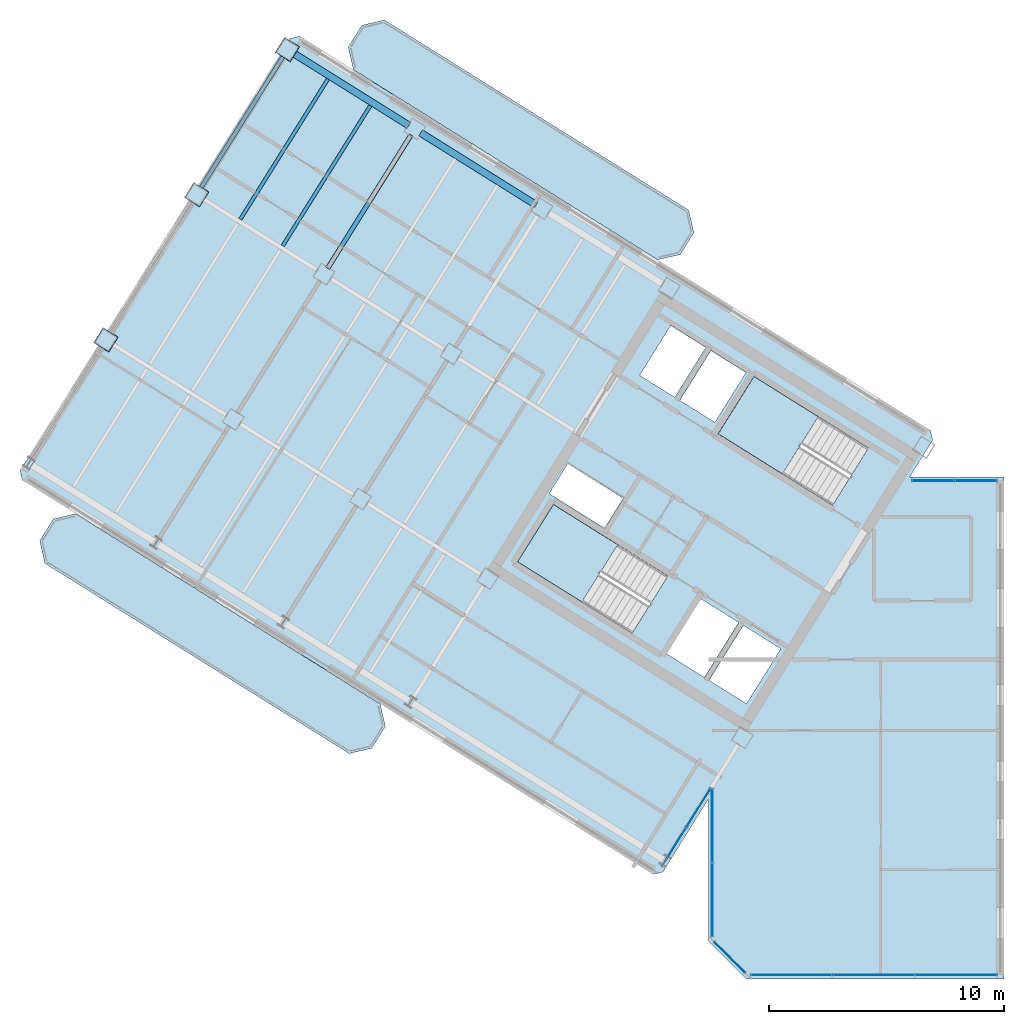
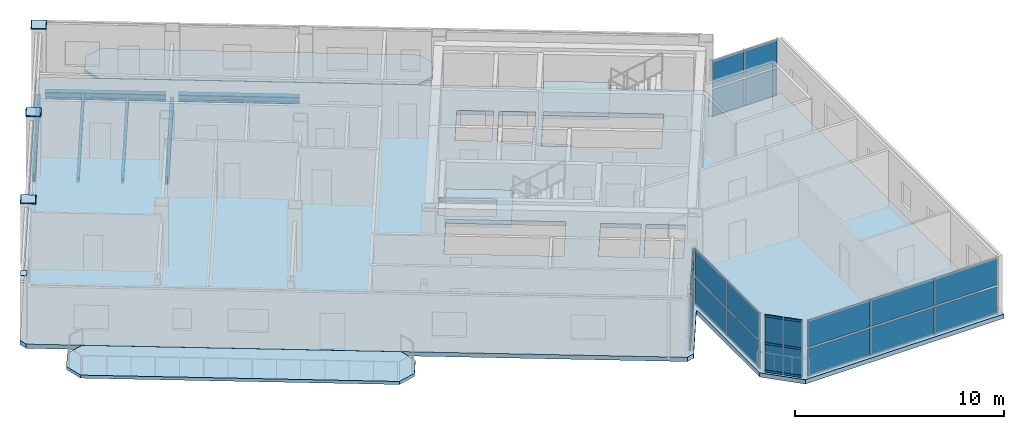
# One storey, part 7 of 17: 29 plates, 6 beams, 6 members, 5 slabs, 7 elements without a shape of their own.
"""IFC4 building model written with IfcOpenShell, lengths in metres."""

from ifc_helpers import new_model, si_unit, direction, frame, origin, origin_2d, place, context, subcontext, project, spatial, polyline, rectangle, hollow_rectangle, i_section, outline, extrude, source, transform, mapped, material, layer, layer_set, material_profile, profile_set, type_object, element, aggregate, save


model = new_model("IFC4")

# Units and contexts
model_context = context("Model", 3, precision=1e-05, world=origin(), true_north=direction((0.0, 1.0)))
body_context = subcontext(model_context, "Body", "Model", "MODEL_VIEW")
ifc_project = project(units=[si_unit("LENGTHUNIT", "METRE"), si_unit("AREAUNIT", "SQUARE_METRE"), si_unit("VOLUMEUNIT", "CUBIC_METRE"), si_unit("PLANEANGLEUNIT", "RADIAN"), si_unit("MASSUNIT", "GRAM", prefix="KILO")], contexts=[model_context])

# Site, building, storey
site_placement = place(None, origin())
site = spatial("IfcSite", under=ifc_project, at=site_placement, CompositionType="ELEMENT")
building_placement = place(site_placement, origin())
building = spatial("IfcBuilding", under=site, at=building_placement, Name="Tlacorven Tower", CompositionType="ELEMENT")
storey_placement = place(building_placement, frame((0.0, 0.0, 277.199951171875)))
storey = spatial("IfcBuildingStorey", under=building, at=storey_placement, Name="L70", CompositionType="ELEMENT", Elevation=277.199951171875)

# Beams
ifc_material_1 = material(Name="Steel S355J2", Category="steel")
ifc_material_profile_1 = material_profile(ifc_material_1, i_section(OverallWidth=0.300048828125, OverallDepth=0.389892578125, WebThickness=0.010986328125, FlangeThickness=0.01904296875, at=origin_2d()), Name="HEA 400")
ifc_profile_set_1 = profile_set([ifc_material_profile_1], Name="Steel S355J2")
beam_type_1 = type_object("IfcBeamType", Name="BM-SPN-400", PredefinedType="SPANDREL", material=ifc_profile_set_1)
shared_shape_1 = source(origin(), body_context, "Body", "SweptSolid", [
    extrude(i_section(OverallWidth=0.300048828125, OverallDepth=0.389892578125, WebThickness=0.010986328125, FlangeThickness=0.01904296875, at=origin_2d()), origin(), (0.0, 0.0, 1.0), 5.800048828125),
])
for number, where, z_axis, x_axis, name in (
    (1, (24.24609375, 34.8017578125, -0.445068359375), (-0.848052689693, 0.529911912967, 0.0), (-0.529911912967, -0.848052689693, 0.0), "L70 beam BM-L70-WL1-4"),
    (2, (18.818603515625, 38.193359375, -0.445068359375), (-0.848052689693, 0.529911912967, 0.0), (-0.529911912967, -0.848052689693, 0.0), "L70 beam BM-L70-WL1-5"),
):
    element("IfcBeam", number, at=place(storey_placement, frame(where, z_axis=z_axis, x_axis=x_axis)), inside=storey, type_object=beam_type_1, Name=name, PredefinedType="SPANDREL", context=body_context, shape_type="MappedRepresentation", body=[
        mapped(shared_shape_1, transform((0.0, 0.0, 0.0), scale=1.0)),
    ])
ifc_material_profile_2 = material_profile(ifc_material_1, i_section(OverallWidth=0.14990234375, OverallDepth=0.300048828125, WebThickness=0.007080078125, FlangeThickness=0.0107421875, at=origin_2d()), Name="IPE 300")
ifc_profile_set_2 = profile_set([ifc_material_profile_2], Name="Steel S355J2")
beam_type_2 = type_object("IfcBeamType", Name="BM-JST-300", PredefinedType="JOIST", material=ifc_profile_set_2)
shared_shape_2 = source(origin(), body_context, "Body", "SweptSolid", [
    extrude(i_section(OverallWidth=0.14990234375, OverallDepth=0.300048828125, WebThickness=0.007080078125, FlangeThickness=0.0107421875, at=origin_2d()), origin(), (0.0, 0.0, 1.0), 7.044921875),
])
for number, where, z_axis, x_axis, name in (
    (3, (17.181640625, 39.033447265625, -0.39990234375), (-0.529899256491, -0.848060598053, 0.0), (0.848060598053, -0.529899256491, 0.0), "L70 beam BM-L70-WJ5-1-1"),
    (4, (15.372314453125, 40.163818359375, -0.39990234375), (-0.52991483005, -0.848050866925, 0.0), (0.848050866925, -0.52991483005, 0.0), "L70 beam BM-L70-WJ5-1-2"),
):
    element("IfcBeam", number, at=place(storey_placement, frame(where, z_axis=z_axis, x_axis=x_axis)), inside=storey, type_object=beam_type_2, Name=name, PredefinedType="JOIST", context=body_context, shape_type="MappedRepresentation", body=[
        mapped(shared_shape_2, transform((0.0, 0.0, 0.0), scale=1.0)),
    ])
ifc_material_profile_3 = material_profile(ifc_material_1, i_section(OverallWidth=0.18994140625, OverallDepth=0.449951171875, WebThickness=0.009521484375, FlangeThickness=0.0146484375, at=origin_2d()), Name="IPE 450")
ifc_profile_set_3 = profile_set([ifc_material_profile_3], Name="Steel S355J2")
beam_type_3 = type_object("IfcBeamType", Name="BM-TWR-450", PredefinedType="BEAM", material=ifc_profile_set_3)
shared_shape_3 = source(origin(), body_context, "Body", "SweptSolid", [
    extrude(i_section(OverallWidth=0.18994140625, OverallDepth=0.449951171875, WebThickness=0.009521484375, FlangeThickness=0.0146484375, at=origin_2d()), origin(), (0.0, 0.0, 1.0), 6.699951171875),
])
beam_1_placement = place(storey_placement, frame((13.486328125, 41.17138671875, -0.474853515625), z_axis=(-0.529903948186, -0.848057666493, 0.0), x_axis=(0.848057666493, -0.529903948186, 0.0)))
element("IfcBeam", 5, at=beam_1_placement, inside=storey, type_object=beam_type_3, Name="L70 beam BM-L70-WT6-1", PredefinedType="BEAM", context=body_context, shape_type="MappedRepresentation", body=[
    mapped(shared_shape_3, transform((0.0, 0.0, 0.0), scale=1.0)),
])
shared_shape_4 = source(origin(), body_context, "Body", "SweptSolid", [
    extrude(i_section(OverallWidth=0.18994140625, OverallDepth=0.449951171875, WebThickness=0.009521484375, FlangeThickness=0.0146484375, at=origin_2d()), origin(), (0.0, 0.0, 1.0), 6.7001953125),
])
beam_2_placement = place(storey_placement, frame((18.9140625, 37.780029296875, -0.474853515625), z_axis=(-0.52991377951, -0.848051523367, 0.0), x_axis=(0.848051523367, -0.52991377951, 0.0)))
element("IfcBeam", 6, at=beam_2_placement, inside=storey, type_object=beam_type_3, Name="L70 beam BM-L70-WT5-1", PredefinedType="BEAM", context=body_context, shape_type="MappedRepresentation", body=[
    mapped(shared_shape_4, transform((0.0, 0.0, 0.0), scale=1.0)),
])

# Curtain wall, members
ifc_material_2 = material(Name="Dark solar low-E double glazing in aluminium frame", Category="aluminium")
curtain_wall_type = type_object("IfcCurtainWallType", Name="CW-TWR-HIGH", PredefinedType="USERDEFINED", material=ifc_material_2)
curtain_wall_1_placement = place(storey_placement, origin())
curtain_wall_1 = element("IfcCurtainWall", 7, at=curtain_wall_1_placement, inside=storey, type_object=curtain_wall_type, Name="L70 CW-TWR-HIGH Curtain Wall 325", ObjectType="UNITISED CURTAIN WALL", PredefinedType="USERDEFINED")
ifc_material_3 = material(Name="Aluminium 6063-T6 anodised", Category="aluminium")
ifc_material_profile_4 = material_profile(ifc_material_3, hollow_rectangle(XDim=0.054931640625, YDim=0.1201171875, WallThickness=0.00341796875, at=origin_2d()), Name="ALU TRANSOM 55X120")
ifc_profile_set_4 = profile_set([ifc_material_profile_4], Name="Aluminium 6063-T6 anodised")
member_type = type_object("IfcMemberType", Name="CWT-03", PredefinedType="USERDEFINED", material=ifc_profile_set_4)
shared_shape_5 = source(origin(), body_context, "Body", "SweptSolid", [
    extrude(hollow_rectangle(XDim=0.054931640625, YDim=0.1201171875, WallThickness=0.00341796875, at=origin_2d()), origin(), (0.0, 0.0, 1.0), 0.899169921875),
])
member_1_placement = place(storey_placement, frame((33.16162109375, 2.064697265625, 0.06005859375), z_axis=(-0.707106781187, 0.707106781187, 0.0), x_axis=(-0.707106781187, -0.707106781187, 0.0)))
member_1 = element("IfcMember", 8, at=member_1_placement, type_object=member_type, Name="CW-L70-325 Transom 1", ObjectType="TRANSOM", PredefinedType="USERDEFINED", context=body_context, shape_type="MappedRepresentation", body=[
    mapped(shared_shape_5, transform((0.0, 0.0, 0.0), scale=1.0)),
])
member_2_placement = place(storey_placement, frame((33.16162109375, 2.064697265625, 1.675048828125), z_axis=(-0.707106781187, 0.707106781187, 0.0), x_axis=(-0.707106781187, -0.707106781187, 0.0)))
member_2 = element("IfcMember", 9, at=member_2_placement, type_object=member_type, Name="CW-L70-325 Transom 2", ObjectType="TRANSOM", PredefinedType="USERDEFINED", context=body_context, shape_type="MappedRepresentation", body=[
    mapped(shared_shape_5, transform((0.0, 0.0, 0.0), scale=1.0)),
])
member_3_placement = place(storey_placement, frame((33.16162109375, 2.064697265625, 3.2900390625), z_axis=(-0.707106781187, 0.707106781187, 0.0), x_axis=(-0.707106781187, -0.707106781187, 0.0)))
member_3 = element("IfcMember", 10, at=member_3_placement, type_object=member_type, Name="CW-L70-325 Transom 3", ObjectType="TRANSOM", PredefinedType="USERDEFINED", context=body_context, shape_type="MappedRepresentation", body=[
    mapped(shared_shape_5, transform((0.0, 0.0, 0.0), scale=1.0)),
])
member_4_placement = place(storey_placement, frame((32.50048828125, 2.725830078125, 0.06005859375), z_axis=(-0.707106781187, 0.707106781187, 0.0), x_axis=(-0.707106781187, -0.707106781187, 0.0)))
member_4 = element("IfcMember", 11, at=member_4_placement, type_object=member_type, Name="CW-L70-325 Transom 4", ObjectType="TRANSOM", PredefinedType="USERDEFINED", context=body_context, shape_type="MappedRepresentation", body=[
    mapped(shared_shape_5, transform((0.0, 0.0, 0.0), scale=1.0)),
])
member_5_placement = place(storey_placement, frame((32.50048828125, 2.725830078125, 1.675048828125), z_axis=(-0.707106781187, 0.707106781187, 0.0), x_axis=(-0.707106781187, -0.707106781187, 0.0)))
member_5 = element("IfcMember", 12, at=member_5_placement, type_object=member_type, Name="CW-L70-325 Transom 5", ObjectType="TRANSOM", PredefinedType="USERDEFINED", context=body_context, shape_type="MappedRepresentation", body=[
    mapped(shared_shape_5, transform((0.0, 0.0, 0.0), scale=1.0)),
])
member_6_placement = place(storey_placement, frame((32.50048828125, 2.725830078125, 3.2900390625), z_axis=(-0.707106781187, 0.707106781187, 0.0), x_axis=(-0.707106781187, -0.707106781187, 0.0)))
member_6 = element("IfcMember", 13, at=member_6_placement, type_object=member_type, Name="CW-L70-325 Transom 6", ObjectType="TRANSOM", PredefinedType="USERDEFINED", context=body_context, shape_type="MappedRepresentation", body=[
    mapped(shared_shape_5, transform((0.0, 0.0, 0.0), scale=1.0)),
])

# Slabs
ifc_material_4 = material(Name="Precast concrete C45/55", Category="concrete")
ifc_layer_1 = layer(ifc_material_4, 0.179931640625)
ifc_layer_set_1 = layer_set([ifc_layer_1], Name="Precast concrete C45/55")
slab_type_1 = type_object("IfcSlabType", Name="SL-BAL-180", PredefinedType="USERDEFINED", material=ifc_layer_set_1)
slab_1_placement = place(storey_placement, frame((0.0, 0.0, -0.179931640625)))
element("IfcSlab", 14, at=slab_1_placement, inside=storey, type_object=slab_type_1, Name="L70 West Wing Balcony Ribbon OUT", ObjectType="BALCONY SLAB", PredefinedType="USERDEFINED", context=body_context, shape_type="SweptSolid", body=[
    extrude(outline(polyline([(17.601318359375, 13.52490234375), (4.626220703125, 21.632568359375), (3.66162109375, 21.409912109375), (3.081298828125, 20.4814453125), (3.303955078125, 19.516845703125), (16.279052734375, 11.408935546875), (17.24365234375, 11.6318359375), (17.823974609375, 12.560302734375), (17.601318359375, 13.52490234375)])), origin(), (0.0, 0.0, 1.0), 0.179931640625),
])
slab_2_placement = place(storey_placement, frame((0.0, 0.0, -0.179931640625)))
element("IfcSlab", 15, at=slab_2_placement, inside=storey, type_object=slab_type_1, Name="L70 West Wing Balcony Ribbon IN", ObjectType="BALCONY SLAB", PredefinedType="USERDEFINED", context=body_context, shape_type="SweptSolid", body=[
    extrude(outline(polyline([(30.756591796875, 34.57763671875), (17.781494140625, 42.685546875), (16.81689453125, 42.462890625), (16.236572265625, 41.5341796875), (16.459228515625, 40.569580078125), (29.434326171875, 32.4619140625), (30.39892578125, 32.6845703125), (30.979248046875, 33.613037109375), (30.756591796875, 34.57763671875)])), origin(), (0.0, 0.0, 1.0), 0.179931640625),
])

# Stair, slab
ifc_material_5 = material(Name="Concrete C40/50", Category="concrete")
stair_type = type_object("IfcStairType", Name="ST-CORE-DLG", PredefinedType="HALF_TURN_STAIR", material=ifc_material_5)
stair_1_placement = place(storey_placement, origin())
stair_1 = element("IfcStair", 16, at=stair_1_placement, inside=storey, type_object=stair_type, Name="L70 Protected Exit Stair West 1", PredefinedType="HALF_TURN_STAIR")
ifc_layer_2 = layer(ifc_material_5, 0.199951171875)
ifc_layer_set_2 = layer_set([ifc_layer_2], Name="Concrete C40/50")
slab_type_2 = type_object("IfcSlabType", Name="SL-LND-200", PredefinedType="LANDING", material=ifc_layer_set_2)
slab_3_placement = place(storey_placement, frame((0.0, 0.0, 1.60009765625)))
slab_3 = element("IfcSlab", 17, at=slab_3_placement, type_object=slab_type_2, Name="ST-W1 landing 1", PredefinedType="LANDING", context=body_context, shape_type="SweptSolid", body=[
    extrude(outline(polyline([(27.728515625, 20.315185546875), (24.9892578125, 22.02685546875), (23.463134765625, 19.58447265625), (26.2021484375, 17.872802734375), (27.728515625, 20.315185546875)])), origin(), (0.0, 0.0, 1.0), 0.199951171875),
])
aggregate(stair_1, [slab_3])

stair_2_placement = place(storey_placement, origin())
stair_2 = element("IfcStair", 18, at=stair_2_placement, inside=storey, type_object=stair_type, Name="L70 Protected Exit Stair West 2", PredefinedType="HALF_TURN_STAIR")
slab_4_placement = place(storey_placement, frame((0.0, 0.0, 1.60009765625)))
slab_4 = element("IfcSlab", 19, at=slab_4_placement, type_object=slab_type_2, Name="ST-W2 landing 1", PredefinedType="LANDING", context=body_context, shape_type="SweptSolid", body=[
    extrude(outline(polyline([(36.280029296875, 25.772705078125), (33.540771484375, 27.484375), (32.0146484375, 25.0419921875), (34.75390625, 23.33056640625), (36.280029296875, 25.772705078125)])), origin(), (0.0, 0.0, 1.0), 0.199951171875),
])
aggregate(stair_2, [slab_4])

# Slab
ifc_layer_3 = layer(ifc_material_5, 0.25)
ifc_layer_set_3 = layer_set([ifc_layer_3], Name="Concrete C40/50")
slab_type_3 = type_object("IfcSlabType", Name="SL-TWR-250", PredefinedType="FLOOR", material=ifc_layer_set_3)
slab_5_placement = place(storey_placement, frame((0.0, 0.0, -0.25)))
element("IfcSlab", 20, at=slab_5_placement, inside=storey, type_object=slab_type_3, Name="L70 Boomerang Tower Floor Slab", PredefinedType="FLOOR", context=body_context, shape_type="SweptSolid", body=[
    extrude(outline(polyline([(44.199951171875, 23.199951171875), (44.199951171875, 1.800048828125), (33.199951171875, 1.800048828125), (31.60009765625, 3.39990234375), (31.60009765625, 9.470703125), (29.652587890625, 6.35400390625), (29.2392578125, 6.258544921875), (2.339111328125, 23.067626953125), (2.24365234375, 23.481201171875), (13.75341796875, 41.900634765625), (14.1669921875, 41.99609375), (41.06689453125, 25.18701171875), (41.162353515625, 24.773681640625), (40.178955078125, 23.199951171875), (44.199951171875, 23.199951171875)]), holes=[polyline([(29.865478515625, 18.979736328125), (24.9892578125, 22.02685546875), (23.463134765625, 19.58447265625), (28.33935546875, 16.537353515625), (29.865478515625, 18.979736328125)]), polyline([(38.4169921875, 24.4375), (33.540771484375, 27.484375), (32.0146484375, 25.0419921875), (36.890869140625, 21.9951171875), (38.4169921875, 24.4375)]), polyline([(34.682373046875, 15.87548828125), (33.088134765625, 16.871826171875), (31.62548828125, 14.531005859375), (33.2197265625, 13.534912109375), (34.682373046875, 15.87548828125)]), polyline([(32.884521484375, 16.9990234375), (31.2392578125, 18.02685546875), (29.77685546875, 15.686279296875), (31.421875, 14.658203125), (32.884521484375, 16.9990234375)]), polyline([(33.197265625, 27.65185546875), (31.704833984375, 28.58447265625), (30.3798828125, 26.46435546875), (31.87255859375, 25.53173828125), (33.197265625, 27.65185546875)]), polyline([(31.484375, 28.722412109375), (29.99169921875, 29.655029296875), (28.6669921875, 27.534912109375), (30.159423828125, 26.602294921875), (31.484375, 28.722412109375)]), polyline([(27.96142578125, 22.2919921875), (25.603759765625, 23.76513671875), (24.80908203125, 22.4931640625), (27.16650390625, 21.02001953125), (27.96142578125, 22.2919921875)])]), origin(), (0.0, 0.0, 1.0), 0.25),
])

# Plates
ifc_material_6 = material(Name="Steel S460M", Category="steel")
ifc_layer_4 = layer(ifc_material_6, 0.02001953125)
ifc_layer_set_4 = layer_set([ifc_layer_4], Name="Steel S460M")
plate_type_1 = type_object("IfcPlateType", Name="PL-CAP-END2", PredefinedType="USERDEFINED", material=ifc_layer_set_4)
shared_shape_6 = source(origin(), body_context, "Body", "SweptSolid", [
    extrude(rectangle(XDim=0.760009765625, YDim=0.760009765625, at=origin_2d()), origin(), (0.0, 0.0, 1.0), 0.02001953125),
])
for number, where, z_axis, x_axis, name in (
    (21, (13.6455078125, 41.42578125, 3.580078125), (0.0, 0.0, 1.0), (-0.848048096156, 0.529919264233, 0.0), "L70 Box Column Top Cap Plate COL-L70-W6-1"),
    (22, (9.777099609375, 35.235107421875, 3.580078125), (0.0, 0.0, 1.0), (-0.848048096156, 0.529919264233, 0.0), "L70 Box Column Top Cap Plate COL-L70-W6-2"),
    (23, (5.90869140625, 29.044189453125, 3.580078125), (0.0, 0.0, 1.0), (-0.848048096156, 0.529919264233, 0.0), "L70 Box Column Top Cap Plate COL-L70-W6-3"),
):
    element("IfcPlate", number, at=place(storey_placement, frame(where, z_axis=z_axis, x_axis=x_axis)), inside=storey, type_object=plate_type_1, Name=name, ObjectType="END PLATE", PredefinedType="USERDEFINED", context=body_context, shape_type="MappedRepresentation", body=[
        mapped(shared_shape_6, transform((0.0, 0.0, 0.0), scale=1.0)),
    ])
ifc_layer_5 = layer(ifc_material_6, 0.02392578125)
ifc_layer_set_5 = layer_set([ifc_layer_5], Name="Steel S460M")
plate_type_2 = type_object("IfcPlateType", Name="PL-CAP-END1", PredefinedType="USERDEFINED", material=ifc_layer_set_5)
shared_shape_7 = source(origin(), body_context, "Body", "SweptSolid", [
    extrude(rectangle(XDim=0.300048828125, YDim=0.449951171875, at=origin_2d()), origin(), (0.0, 0.0, 1.0), 0.02392578125),
])
plate_1_placement = place(storey_placement, frame((2.623046875, 23.786376953125, 3.59814453125), z_axis=(0.0, 0.0, 1.0), x_axis=(-0.848048096156, 0.529919264233, 0.0)))
element("IfcPlate", 24, at=plate_1_placement, inside=storey, type_object=plate_type_2, Name="L70 Hollow Column Top Cap Plate COL-L70-W6-4", ObjectType="END PLATE", PredefinedType="USERDEFINED", context=body_context, shape_type="MappedRepresentation", body=[
    mapped(shared_shape_7, transform((0.0, 0.0, 0.0), scale=1.0)),
])
shared_shape_8 = source(origin(), body_context, "Body", "SweptSolid", [
    extrude(rectangle(XDim=0.699951171875, YDim=0.699951171875, at=origin_2d()), origin(), (0.0, 0.0, 1.0), 0.02392578125),
])
for number, where, z_axis, x_axis, name in (
    (25, (13.6455078125, 41.42578125, 3.59814453125), (0.0, 0.0, 1.0), (-0.848048096156, 0.529919264233, 0.0), "L70 Hollow Column Top Cap Plate COL-L70-W6-1"),
    (26, (9.777099609375, 35.235107421875, 3.59814453125), (0.0, 0.0, 1.0), (-0.848048096156, 0.529919264233, 0.0), "L70 Hollow Column Top Cap Plate COL-L70-W6-2"),
    (27, (5.90869140625, 29.044189453125, 3.59814453125), (0.0, 0.0, 1.0), (-0.848048096156, 0.529919264233, 0.0), "L70 Hollow Column Top Cap Plate COL-L70-W6-3"),
):
    element("IfcPlate", number, at=place(storey_placement, frame(where, z_axis=z_axis, x_axis=x_axis)), inside=storey, type_object=plate_type_2, Name=name, ObjectType="END PLATE", PredefinedType="USERDEFINED", context=body_context, shape_type="MappedRepresentation", body=[
        mapped(shared_shape_8, transform((0.0, 0.0, 0.0), scale=1.0)),
    ])

# Plate
ifc_material_7 = material(Name="High-wind dark solar tempered low-E glazing", Category="glass")
ifc_layer_6 = layer(ifc_material_7, 0.028076171875)
ifc_layer_set_6 = layer_set([ifc_layer_6], Name="High-wind dark solar tempered low-E glazing")
plate_type_3 = type_object("IfcPlateType", Name="CWP-03", PredefinedType="CURTAIN_PANEL", material=ifc_layer_set_6)
shared_shape_9 = source(origin(), body_context, "Body", "SweptSolid", [
    extrude(rectangle(XDim=0.89306640625, YDim=0.028076171875, at=origin_2d()), origin(), (0.0, 0.0, 1.0), 1.572998046875),
])
plate_2_placement = place(storey_placement, frame((32.84375, 2.382568359375, 0.05126953125), z_axis=(0.0, 0.0, 1.0), x_axis=(-0.707106781187, 0.707106781187, 0.0)))
plate_2 = element("IfcPlate", 28, at=plate_2_placement, type_object=plate_type_3, Name="CW-L70-325 Glazing Panel 1", PredefinedType="CURTAIN_PANEL", context=body_context, shape_type="MappedRepresentation", body=[
    mapped(shared_shape_9, transform((0.0, 0.0, 0.0), scale=1.0)),
])

plate_3_placement = place(storey_placement, frame((32.84375, 2.382568359375, 1.72607421875), z_axis=(0.0, 0.0, 1.0), x_axis=(-0.707106781187, 0.707106781187, 0.0)))
plate_3 = element("IfcPlate", 29, at=plate_3_placement, type_object=plate_type_3, Name="CW-L70-325 Glazing Panel 2", PredefinedType="CURTAIN_PANEL", context=body_context, shape_type="MappedRepresentation", body=[
    mapped(shared_shape_9, transform((0.0, 0.0, 0.0), scale=1.0)),
])

plate_4_placement = place(storey_placement, frame((32.1826171875, 3.043701171875, 0.05126953125), z_axis=(0.0, 0.0, 1.0), x_axis=(-0.707106781187, 0.707106781187, 0.0)))
plate_4 = element("IfcPlate", 30, at=plate_4_placement, type_object=plate_type_3, Name="CW-L70-325 Glazing Panel 3", PredefinedType="CURTAIN_PANEL", context=body_context, shape_type="MappedRepresentation", body=[
    mapped(shared_shape_9, transform((0.0, 0.0, 0.0), scale=1.0)),
])

plate_5_placement = place(storey_placement, frame((32.1826171875, 3.043701171875, 1.72607421875), z_axis=(0.0, 0.0, 1.0), x_axis=(-0.707106781187, 0.707106781187, 0.0)))
plate_5 = element("IfcPlate", 31, at=plate_5_placement, type_object=plate_type_3, Name="CW-L70-325 Glazing Panel 4", PredefinedType="CURTAIN_PANEL", context=body_context, shape_type="MappedRepresentation", body=[
    mapped(shared_shape_9, transform((0.0, 0.0, 0.0), scale=1.0)),
])

aggregate(curtain_wall_1, [member_1, member_2, member_3, plate_2, plate_3, member_4, member_5, member_6, plate_4, plate_5])

# Curtain wall, plates
curtain_wall_2_placement = place(storey_placement, origin())
curtain_wall_2 = element("IfcCurtainWall", 32, at=curtain_wall_2_placement, inside=storey, type_object=curtain_wall_type, Name="L70 CW-TWR-HIGH Curtain Wall 326", ObjectType="UNITISED CURTAIN WALL", PredefinedType="USERDEFINED")
shared_shape_10 = source(origin(), body_context, "Body", "SweptSolid", [
    extrude(rectangle(XDim=3.109130859375, YDim=0.028076171875, at=origin_2d()), origin(), (0.0, 0.0, 1.0), 1.572998046875),
])
plate_6_placement = place(storey_placement, frame((31.760009765625, 5.171875, 0.05126953125), z_axis=(0.0, 0.0, 1.0), x_axis=(0.0, 1.0, 0.0)))
plate_6 = element("IfcPlate", 33, at=plate_6_placement, type_object=plate_type_3, Name="CW-L70-326 Glazing Panel 1", PredefinedType="CURTAIN_PANEL", context=body_context, shape_type="MappedRepresentation", body=[
    mapped(shared_shape_10, transform((0.0, 0.0, 0.0), scale=1.0)),
])
plate_7_placement = place(storey_placement, frame((31.760009765625, 5.171875, 1.72607421875), z_axis=(0.0, 0.0, 1.0), x_axis=(0.0, 1.0, 0.0)))
plate_7 = element("IfcPlate", 34, at=plate_7_placement, type_object=plate_type_3, Name="CW-L70-326 Glazing Panel 2", PredefinedType="CURTAIN_PANEL", context=body_context, shape_type="MappedRepresentation", body=[
    mapped(shared_shape_10, transform((0.0, 0.0, 0.0), scale=1.0)),
])
plate_8_placement = place(storey_placement, frame((31.760009765625, 8.322998046875, 0.05126953125), z_axis=(0.0, 0.0, 1.0), x_axis=(0.0, 1.0, 0.0)))
plate_8 = element("IfcPlate", 35, at=plate_8_placement, type_object=plate_type_3, Name="CW-L70-326 Glazing Panel 3", PredefinedType="CURTAIN_PANEL", context=body_context, shape_type="MappedRepresentation", body=[
    mapped(shared_shape_10, transform((0.0, 0.0, 0.0), scale=1.0)),
])
plate_9_placement = place(storey_placement, frame((31.760009765625, 8.322998046875, 1.72607421875), z_axis=(0.0, 0.0, 1.0), x_axis=(0.0, 1.0, 0.0)))
plate_9 = element("IfcPlate", 36, at=plate_9_placement, type_object=plate_type_3, Name="CW-L70-326 Glazing Panel 4", PredefinedType="CURTAIN_PANEL", context=body_context, shape_type="MappedRepresentation", body=[
    mapped(shared_shape_10, transform((0.0, 0.0, 0.0), scale=1.0)),
])
aggregate(curtain_wall_2, [plate_6, plate_7, plate_8, plate_9])

curtain_wall_3_placement = place(storey_placement, origin())
curtain_wall_3 = element("IfcCurtainWall", 37, at=curtain_wall_3_placement, inside=storey, type_object=curtain_wall_type, Name="L70 CW-TWR-HIGH Curtain Wall 327", ObjectType="UNITISED CURTAIN WALL", PredefinedType="USERDEFINED")
shared_shape_11 = source(origin(), body_context, "Body", "SweptSolid", [
    extrude(rectangle(XDim=1.911376953125, YDim=0.028076171875, at=origin_2d()), origin(), (0.0, 0.0, 1.0), 1.572998046875),
])
plate_10_placement = place(storey_placement, frame((31.173583984375, 9.090087890625, 0.05126953125), z_axis=(0.0, 0.0, 1.0), x_axis=(-0.529918710919, -0.848048441905, 0.0)))
plate_10 = element("IfcPlate", 38, at=plate_10_placement, type_object=plate_type_3, Name="CW-L70-327 Glazing Panel 1", PredefinedType="CURTAIN_PANEL", context=body_context, shape_type="MappedRepresentation", body=[
    mapped(shared_shape_11, transform((0.0, 0.0, 0.0), scale=1.0)),
])
plate_11_placement = place(storey_placement, frame((31.173583984375, 9.090087890625, 1.72607421875), z_axis=(0.0, 0.0, 1.0), x_axis=(-0.529918710919, -0.848048441905, 0.0)))
plate_11 = element("IfcPlate", 39, at=plate_11_placement, type_object=plate_type_3, Name="CW-L70-327 Glazing Panel 2", PredefinedType="CURTAIN_PANEL", context=body_context, shape_type="MappedRepresentation", body=[
    mapped(shared_shape_11, transform((0.0, 0.0, 0.0), scale=1.0)),
])
plate_12_placement = place(storey_placement, frame((30.138427734375, 7.43359375, 0.05126953125), z_axis=(0.0, 0.0, 1.0), x_axis=(-0.529918710919, -0.848048441905, 0.0)))
plate_12 = element("IfcPlate", 40, at=plate_12_placement, type_object=plate_type_3, Name="CW-L70-327 Glazing Panel 3", PredefinedType="CURTAIN_PANEL", context=body_context, shape_type="MappedRepresentation", body=[
    mapped(shared_shape_11, transform((0.0, 0.0, 0.0), scale=1.0)),
])
plate_13_placement = place(storey_placement, frame((30.138427734375, 7.43359375, 1.72607421875), z_axis=(0.0, 0.0, 1.0), x_axis=(-0.529918710919, -0.848048441905, 0.0)))
plate_13 = element("IfcPlate", 41, at=plate_13_placement, type_object=plate_type_3, Name="CW-L70-327 Glazing Panel 4", PredefinedType="CURTAIN_PANEL", context=body_context, shape_type="MappedRepresentation", body=[
    mapped(shared_shape_11, transform((0.0, 0.0, 0.0), scale=1.0)),
])
aggregate(curtain_wall_3, [plate_10, plate_11, plate_12, plate_13])

curtain_wall_4_placement = place(storey_placement, origin())
curtain_wall_4 = element("IfcCurtainWall", 42, at=curtain_wall_4_placement, inside=storey, type_object=curtain_wall_type, Name="L70 CW-TWR-HIGH Curtain Wall 328", ObjectType="UNITISED CURTAIN WALL", PredefinedType="USERDEFINED")
shared_shape_12 = source(origin(), body_context, "Body", "SweptSolid", [
    extrude(rectangle(XDim=1.776123046875, YDim=0.028076171875, at=origin_2d()), origin(), (0.0, 0.0, 1.0), 1.572998046875),
])
plate_14_placement = place(storey_placement, frame((41.182861328125, 23.0400390625, 0.05126953125), z_axis=(0.0, 0.0, 1.0), x_axis=(1.0, 0.0, 0.0)))
plate_14 = element("IfcPlate", 43, at=plate_14_placement, type_object=plate_type_3, Name="CW-L70-328 Glazing Panel 1", PredefinedType="CURTAIN_PANEL", context=body_context, shape_type="MappedRepresentation", body=[
    mapped(shared_shape_12, transform((0.0, 0.0, 0.0), scale=1.0)),
])
plate_15_placement = place(storey_placement, frame((41.182861328125, 23.0400390625, 1.72607421875), z_axis=(0.0, 0.0, 1.0), x_axis=(1.0, 0.0, 0.0)))
plate_15 = element("IfcPlate", 44, at=plate_15_placement, type_object=plate_type_3, Name="CW-L70-328 Glazing Panel 2", PredefinedType="CURTAIN_PANEL", context=body_context, shape_type="MappedRepresentation", body=[
    mapped(shared_shape_12, transform((0.0, 0.0, 0.0), scale=1.0)),
])
plate_16_placement = place(storey_placement, frame((43.0009765625, 23.0400390625, 0.05126953125), z_axis=(0.0, 0.0, 1.0), x_axis=(1.0, 0.0, 0.0)))
plate_16 = element("IfcPlate", 45, at=plate_16_placement, type_object=plate_type_3, Name="CW-L70-328 Glazing Panel 3", PredefinedType="CURTAIN_PANEL", context=body_context, shape_type="MappedRepresentation", body=[
    mapped(shared_shape_12, transform((0.0, 0.0, 0.0), scale=1.0)),
])
plate_17_placement = place(storey_placement, frame((43.0009765625, 23.0400390625, 1.72607421875), z_axis=(0.0, 0.0, 1.0), x_axis=(1.0, 0.0, 0.0)))
plate_17 = element("IfcPlate", 46, at=plate_17_placement, type_object=plate_type_3, Name="CW-L70-328 Glazing Panel 4", PredefinedType="CURTAIN_PANEL", context=body_context, shape_type="MappedRepresentation", body=[
    mapped(shared_shape_12, transform((0.0, 0.0, 0.0), scale=1.0)),
])
aggregate(curtain_wall_4, [plate_14, plate_15, plate_16, plate_17])

curtain_wall_5_placement = place(storey_placement, origin())
curtain_wall_5 = element("IfcCurtainWall", 47, at=curtain_wall_5_placement, inside=storey, type_object=curtain_wall_type, Name="L70 CW-TWR-HIGH Curtain Wall 324", ObjectType="UNITISED CURTAIN WALL", PredefinedType="USERDEFINED")
shared_shape_13 = source(origin(), body_context, "Body", "SweptSolid", [
    extrude(rectangle(XDim=3.45263671875, YDim=0.028076171875, at=origin_2d()), origin(), (0.0, 0.0, 1.0), 1.572998046875),
])
plate_18_placement = place(storey_placement, frame((42.16259765625, 1.9599609375, 0.05126953125), z_axis=(0.0, 0.0, 1.0), x_axis=(-1.0, 0.0, 0.0)))
plate_18 = element("IfcPlate", 48, at=plate_18_placement, type_object=plate_type_3, Name="CW-L70-324 Glazing Panel 1", PredefinedType="CURTAIN_PANEL", context=body_context, shape_type="MappedRepresentation", body=[
    mapped(shared_shape_13, transform((0.0, 0.0, 0.0), scale=1.0)),
])
plate_19_placement = place(storey_placement, frame((42.16259765625, 1.9599609375, 1.72607421875), z_axis=(0.0, 0.0, 1.0), x_axis=(-1.0, 0.0, 0.0)))
plate_19 = element("IfcPlate", 49, at=plate_19_placement, type_object=plate_type_3, Name="CW-L70-324 Glazing Panel 2", PredefinedType="CURTAIN_PANEL", context=body_context, shape_type="MappedRepresentation", body=[
    mapped(shared_shape_13, transform((0.0, 0.0, 0.0), scale=1.0)),
])
plate_20_placement = place(storey_placement, frame((35.1435546875, 1.9599609375, 0.05126953125), z_axis=(0.0, 0.0, 1.0), x_axis=(-1.0, 0.0, 0.0)))
plate_20 = element("IfcPlate", 50, at=plate_20_placement, type_object=plate_type_3, Name="CW-L70-324 Glazing Panel 5", PredefinedType="CURTAIN_PANEL", context=body_context, shape_type="MappedRepresentation", body=[
    mapped(shared_shape_13, transform((0.0, 0.0, 0.0), scale=1.0)),
])
plate_21_placement = place(storey_placement, frame((35.1435546875, 1.9599609375, 1.72607421875), z_axis=(0.0, 0.0, 1.0), x_axis=(-1.0, 0.0, 0.0)))
plate_21 = element("IfcPlate", 51, at=plate_21_placement, type_object=plate_type_3, Name="CW-L70-324 Glazing Panel 6", PredefinedType="CURTAIN_PANEL", context=body_context, shape_type="MappedRepresentation", body=[
    mapped(shared_shape_13, transform((0.0, 0.0, 0.0), scale=1.0)),
])
shared_shape_14 = source(origin(), body_context, "Body", "SweptSolid", [
    extrude(rectangle(XDim=3.482666015625, YDim=0.028076171875, at=origin_2d()), origin(), (0.0, 0.0, 1.0), 1.572998046875),
])
plate_22_placement = place(storey_placement, frame((38.653076171875, 1.9599609375, 0.05126953125), z_axis=(0.0, 0.0, 1.0), x_axis=(-1.0, 0.0, 0.0)))
plate_22 = element("IfcPlate", 52, at=plate_22_placement, type_object=plate_type_3, Name="CW-L70-324 Glazing Panel 3", PredefinedType="CURTAIN_PANEL", context=body_context, shape_type="MappedRepresentation", body=[
    mapped(shared_shape_14, transform((0.0, 0.0, 0.0), scale=1.0)),
])
plate_23_placement = place(storey_placement, frame((38.653076171875, 1.9599609375, 1.72607421875), z_axis=(0.0, 0.0, 1.0), x_axis=(-1.0, 0.0, 0.0)))
plate_23 = element("IfcPlate", 53, at=plate_23_placement, type_object=plate_type_3, Name="CW-L70-324 Glazing Panel 4", PredefinedType="CURTAIN_PANEL", context=body_context, shape_type="MappedRepresentation", body=[
    mapped(shared_shape_14, transform((0.0, 0.0, 0.0), scale=1.0)),
])
aggregate(curtain_wall_5, [plate_18, plate_19, plate_22, plate_23, plate_20, plate_21])

save(model, "model.ifc")
